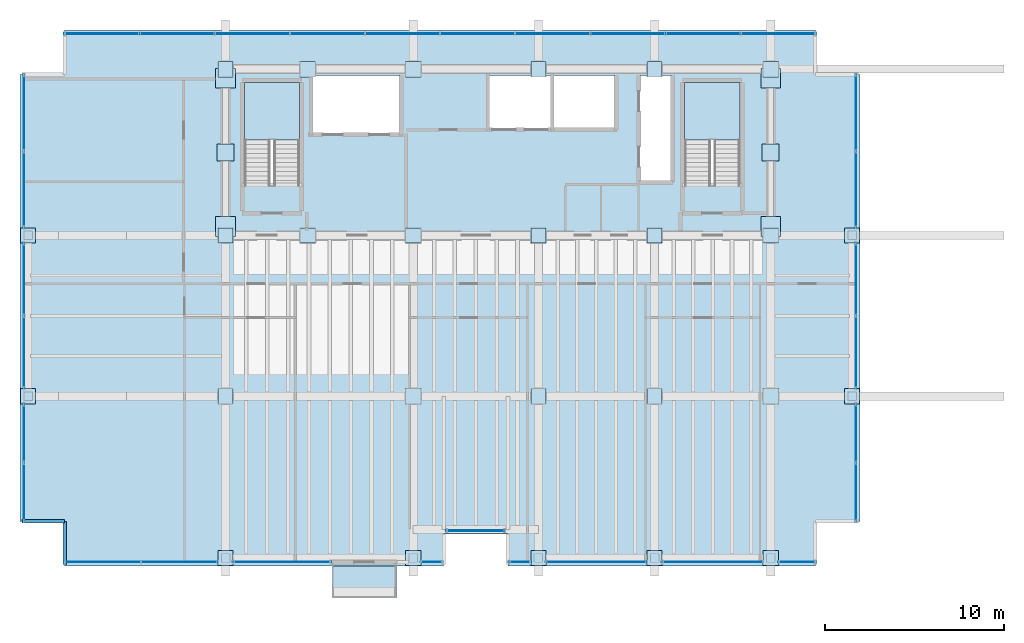
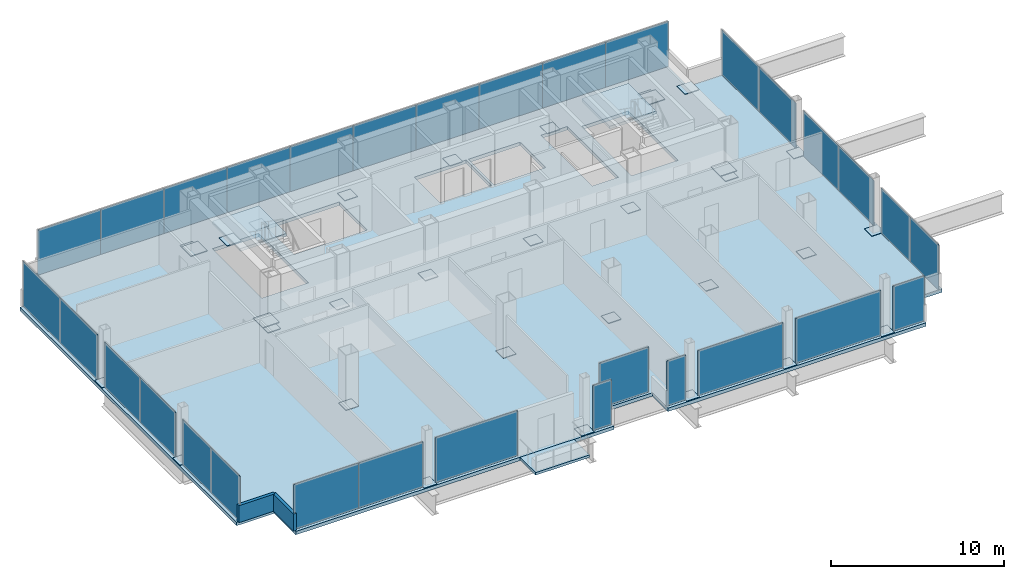
# One storey, part 21 of 24: 63 plates, 4 slabs, 2 walls, 6 openings, 17 elements without a shape of their own.
"""IFC4 building model written with IfcOpenShell, lengths in metres."""

from ifc_helpers import new_model, si_unit, direction, frame, frame_2d, origin, origin_2d, place, context, subcontext, project, spatial, polyline, rectangle, outline, extrude, material, layer, layer_set, type_object, element, aggregate, save


model = new_model("IFC4")

# Units and contexts
model_context = context("Model", 3, precision=1e-05, world=origin(), true_north=direction((0.0, 1.0)))
body_context = subcontext(model_context, "Body", "Model", "MODEL_VIEW")
ifc_project = project(units=[si_unit("LENGTHUNIT", "METRE"), si_unit("AREAUNIT", "SQUARE_METRE"), si_unit("VOLUMEUNIT", "CUBIC_METRE"), si_unit("PLANEANGLEUNIT", "RADIAN"), si_unit("MASSUNIT", "GRAM", prefix="KILO")], contexts=[model_context])

# Site, building, storey
site_placement = place(None, origin())
site = spatial("IfcSite", under=ifc_project, at=site_placement, CompositionType="ELEMENT")
building_placement = place(site_placement, origin())
building = spatial("IfcBuilding", under=site, at=building_placement, Name="Noeulbin Bourse Tower", CompositionType="ELEMENT")
storey_placement = place(building_placement, frame((0.0, 0.0, 114.89990234375)))
storey = spatial("IfcBuildingStorey", under=building, at=storey_placement, Name="L28", CompositionType="ELEMENT", Elevation=114.89990234375)

# Curtain wall, plate
ifc_material_1 = material(Name="Dark Tinted Triple Glazing", Category="glass")
curtain_wall_type = type_object("IfcCurtainWallType", Name="CW-SYS-3", PredefinedType="NOTDEFINED", material=ifc_material_1)
curtain_wall_1_placement = place(storey_placement, origin())
curtain_wall_1 = element("IfcCurtainWall", 1, at=curtain_wall_1_placement, inside=storey, type_object=curtain_wall_type, Name="Unitised Curtain Wall CW-L28-SREC", PredefinedType="NOTDEFINED")
ifc_layer_1 = layer(ifc_material_1, 0.035888671875)
ifc_layer_set_1 = layer_set([ifc_layer_1], Name="Dark Tinted Triple Glazing")
plate_type_1 = type_object("IfcPlateType", Name="CW-SYS-3-PNL", PredefinedType="CURTAIN_PANEL", material=ifc_layer_set_1)
plate_1_placement = place(storey_placement, frame((27.5, 12.47998046875, 0.0), z_axis=(0.0, 0.0, 1.0), x_axis=(1.0, 0.0, 0.0)))
plate_1 = element("IfcPlate", 2, at=plate_1_placement, type_object=plate_type_1, Name="Glazed Curtain Panel CW-L28-SREC-P00", PredefinedType="CURTAIN_PANEL", context=body_context, shape_type="SweptSolid", body=[
    extrude(rectangle(XDim=3.300048828125, YDim=0.035888671875, at=origin_2d()), origin(), (0.0, 0.0, 1.0), 3.179931640625),
])
aggregate(curtain_wall_1, [plate_1])

# Curtain wall, plates
curtain_wall_2_placement = place(storey_placement, origin())
curtain_wall_2 = element("IfcCurtainWall", 3, at=curtain_wall_2_placement, inside=storey, type_object=curtain_wall_type, Name="Unitised Curtain Wall CW-L28-S1-S1", PredefinedType="NOTDEFINED")
plate_2_placement = place(storey_placement, frame((6.632568359375, 10.719970703125, 0.0), z_axis=(0.0, 0.0, 1.0), x_axis=(1.0, 0.0, 0.0)))
plate_2 = element("IfcPlate", 4, at=plate_2_placement, type_object=plate_type_1, Name="Glazed Curtain Panel CW-L28-S1-S1-P00", PredefinedType="CURTAIN_PANEL", context=body_context, shape_type="SweptSolid", body=[
    extrude(rectangle(XDim=4.304931640625, YDim=0.035888671875, at=origin_2d()), origin(), (0.0, 0.0, 1.0), 3.179931640625),
])
plate_3_placement = place(storey_placement, frame((10.9375, 10.719970703125, 0.0), z_axis=(0.0, 0.0, 1.0), x_axis=(1.0, 0.0, 0.0)))
plate_3 = element("IfcPlate", 5, at=plate_3_placement, type_object=plate_type_1, Name="Glazed Curtain Panel CW-L28-S1-S1-P01", PredefinedType="CURTAIN_PANEL", context=body_context, shape_type="SweptSolid", body=[
    extrude(rectangle(XDim=4.304931640625, YDim=0.035888671875, at=origin_2d()), origin(), (0.0, 0.0, 1.0), 3.179931640625),
])
aggregate(curtain_wall_2, [plate_2, plate_3])

# Curtain wall, plate
curtain_wall_3_placement = place(storey_placement, origin())
curtain_wall_3 = element("IfcCurtainWall", 6, at=curtain_wall_3_placement, inside=storey, type_object=curtain_wall_type, Name="Unitised Curtain Wall CW-L28-S1-S2", PredefinedType="NOTDEFINED")
plate_4_placement = place(storey_placement, frame((16.655029296875, 10.719970703125, 0.0), z_axis=(0.0, 0.0, 1.0), x_axis=(1.0, 0.0, 0.0)))
plate_4 = element("IfcPlate", 7, at=plate_4_placement, type_object=plate_type_1, Name="Glazed Curtain Panel CW-L28-S1-S2-P00", PredefinedType="CURTAIN_PANEL", context=body_context, shape_type="SweptSolid", body=[
    extrude(rectangle(XDim=5.489990234375, YDim=0.035888671875, at=origin_2d()), origin(), (0.0, 0.0, 1.0), 3.179931640625),
])
aggregate(curtain_wall_3, [plate_4])

curtain_wall_4_placement = place(storey_placement, origin())
curtain_wall_4 = element("IfcCurtainWall", 8, at=curtain_wall_4_placement, inside=storey, type_object=curtain_wall_type, Name="Unitised Curtain Wall CW-L28-S2", PredefinedType="NOTDEFINED")
plate_5_placement = place(storey_placement, frame((25.030029296875, 10.719970703125, 0.0), z_axis=(0.0, 0.0, 1.0), x_axis=(1.0, 0.0, 0.0)))
plate_5 = element("IfcPlate", 9, at=plate_5_placement, type_object=plate_type_1, Name="Glazed Curtain Panel CW-L28-S2-P00", PredefinedType="CURTAIN_PANEL", context=body_context, shape_type="SweptSolid", body=[
    extrude(rectangle(XDim=1.239990234375, YDim=0.035888671875, at=origin_2d()), origin(), (0.0, 0.0, 1.0), 3.179931640625),
])
aggregate(curtain_wall_4, [plate_5])

curtain_wall_5_placement = place(storey_placement, origin())
curtain_wall_5 = element("IfcCurtainWall", 10, at=curtain_wall_5_placement, inside=storey, type_object=curtain_wall_type, Name="Unitised Curtain Wall CW-L28-S3-S1", PredefinedType="NOTDEFINED")
plate_6_placement = place(storey_placement, frame((29.969970703125, 10.719970703125, 0.0), z_axis=(0.0, 0.0, 1.0), x_axis=(1.0, 0.0, 0.0)))
plate_6 = element("IfcPlate", 11, at=plate_6_placement, type_object=plate_type_1, Name="Glazed Curtain Panel CW-L28-S3-S1-P00", PredefinedType="CURTAIN_PANEL", context=body_context, shape_type="SweptSolid", body=[
    extrude(rectangle(XDim=1.239990234375, YDim=0.035888671875, at=origin_2d()), origin(), (0.0, 0.0, 1.0), 3.179931640625),
])
aggregate(curtain_wall_5, [plate_6])

curtain_wall_6_placement = place(storey_placement, origin())
curtain_wall_6 = element("IfcCurtainWall", 12, at=curtain_wall_6_placement, inside=storey, type_object=curtain_wall_type, Name="Unitised Curtain Wall CW-L28-S3-S2", PredefinedType="NOTDEFINED")
plate_7_placement = place(storey_placement, frame((34.25, 10.719970703125, 0.0), z_axis=(0.0, 0.0, 1.0), x_axis=(1.0, 0.0, 0.0)))
plate_7 = element("IfcPlate", 13, at=plate_7_placement, type_object=plate_type_1, Name="Glazed Curtain Panel CW-L28-S3-S2-P00", PredefinedType="CURTAIN_PANEL", context=body_context, shape_type="SweptSolid", body=[
    extrude(rectangle(XDim=5.679931640625, YDim=0.035888671875, at=origin_2d()), origin(), (0.0, 0.0, 1.0), 3.179931640625),
])
aggregate(curtain_wall_6, [plate_7])

curtain_wall_7_placement = place(storey_placement, origin())
curtain_wall_7 = element("IfcCurtainWall", 14, at=curtain_wall_7_placement, inside=storey, type_object=curtain_wall_type, Name="Unitised Curtain Wall CW-L28-S3-S3", PredefinedType="NOTDEFINED")
plate_8_placement = place(storey_placement, frame((40.75, 10.719970703125, 0.0), z_axis=(0.0, 0.0, 1.0), x_axis=(1.0, 0.0, 0.0)))
plate_8 = element("IfcPlate", 15, at=plate_8_placement, type_object=plate_type_1, Name="Glazed Curtain Panel CW-L28-S3-S3-P00", PredefinedType="CURTAIN_PANEL", context=body_context, shape_type="SweptSolid", body=[
    extrude(rectangle(XDim=5.679931640625, YDim=0.035888671875, at=origin_2d()), origin(), (0.0, 0.0, 1.0), 3.179931640625),
])
aggregate(curtain_wall_7, [plate_8])

curtain_wall_8_placement = place(storey_placement, origin())
curtain_wall_8 = element("IfcCurtainWall", 16, at=curtain_wall_8_placement, inside=storey, type_object=curtain_wall_type, Name="Unitised Curtain Wall CW-L28-S3-S4", PredefinedType="NOTDEFINED")
plate_9_placement = place(storey_placement, frame((45.465087890625, 10.719970703125, 0.0), z_axis=(0.0, 0.0, 1.0), x_axis=(1.0, 0.0, 0.0)))
plate_9 = element("IfcPlate", 17, at=plate_9_placement, type_object=plate_type_1, Name="Glazed Curtain Panel CW-L28-S3-S4-P00", PredefinedType="CURTAIN_PANEL", context=body_context, shape_type="SweptSolid", body=[
    extrude(rectangle(XDim=2.110107421875, YDim=0.035888671875, at=origin_2d()), origin(), (0.0, 0.0, 1.0), 3.179931640625),
])
aggregate(curtain_wall_8, [plate_9])

# Curtain wall, plates
curtain_wall_9_placement = place(storey_placement, origin())
curtain_wall_9 = element("IfcCurtainWall", 18, at=curtain_wall_9_placement, inside=storey, type_object=curtain_wall_type, Name="Unitised Curtain Wall CW-L28-N", PredefinedType="NOTDEFINED")
plate_10_placement = place(storey_placement, frame((6.58203125, 40.280029296875, 0.0), z_axis=(0.0, 0.0, 1.0), x_axis=(1.0, 0.0, 0.0)))
plate_10 = element("IfcPlate", 19, at=plate_10_placement, type_object=plate_type_1, Name="Glazed Curtain Panel CW-L28-N-P00", PredefinedType="CURTAIN_PANEL", context=body_context, shape_type="SweptSolid", body=[
    extrude(rectangle(XDim=4.2041015625, YDim=0.035888671875, at=origin_2d()), origin(), (0.0, 0.0, 1.0), 3.179931640625),
])
plate_11_placement = place(storey_placement, frame((10.785888671875, 40.280029296875, 0.0), z_axis=(0.0, 0.0, 1.0), x_axis=(1.0, 0.0, 0.0)))
plate_11 = element("IfcPlate", 20, at=plate_11_placement, type_object=plate_type_1, Name="Glazed Curtain Panel CW-L28-N-P01", PredefinedType="CURTAIN_PANEL", context=body_context, shape_type="SweptSolid", body=[
    extrude(rectangle(XDim=4.2041015625, YDim=0.035888671875, at=origin_2d()), origin(), (0.0, 0.0, 1.0), 3.179931640625),
])
plate_12_placement = place(storey_placement, frame((14.989990234375, 40.280029296875, 0.0), z_axis=(0.0, 0.0, 1.0), x_axis=(1.0, 0.0, 0.0)))
plate_12 = element("IfcPlate", 21, at=plate_12_placement, type_object=plate_type_1, Name="Glazed Curtain Panel CW-L28-N-P02", PredefinedType="CURTAIN_PANEL", context=body_context, shape_type="SweptSolid", body=[
    extrude(rectangle(XDim=4.2041015625, YDim=0.035888671875, at=origin_2d()), origin(), (0.0, 0.0, 1.0), 3.179931640625),
])
plate_13_placement = place(storey_placement, frame((19.194091796875, 40.280029296875, 0.0), z_axis=(0.0, 0.0, 1.0), x_axis=(1.0, 0.0, 0.0)))
plate_13 = element("IfcPlate", 22, at=plate_13_placement, type_object=plate_type_1, Name="Glazed Curtain Panel CW-L28-N-P03", PredefinedType="CURTAIN_PANEL", context=body_context, shape_type="SweptSolid", body=[
    extrude(rectangle(XDim=4.2041015625, YDim=0.035888671875, at=origin_2d()), origin(), (0.0, 0.0, 1.0), 3.179931640625),
])
plate_14_placement = place(storey_placement, frame((23.39794921875, 40.280029296875, 0.0), z_axis=(0.0, 0.0, 1.0), x_axis=(1.0, 0.0, 0.0)))
plate_14 = element("IfcPlate", 23, at=plate_14_placement, type_object=plate_type_1, Name="Glazed Curtain Panel CW-L28-N-P04", PredefinedType="CURTAIN_PANEL", context=body_context, shape_type="SweptSolid", body=[
    extrude(rectangle(XDim=4.2041015625, YDim=0.035888671875, at=origin_2d()), origin(), (0.0, 0.0, 1.0), 3.179931640625),
])
plate_15_placement = place(storey_placement, frame((27.60205078125, 40.280029296875, 0.0), z_axis=(0.0, 0.0, 1.0), x_axis=(1.0, 0.0, 0.0)))
plate_15 = element("IfcPlate", 24, at=plate_15_placement, type_object=plate_type_1, Name="Glazed Curtain Panel CW-L28-N-P05", PredefinedType="CURTAIN_PANEL", context=body_context, shape_type="SweptSolid", body=[
    extrude(rectangle(XDim=4.2041015625, YDim=0.035888671875, at=origin_2d()), origin(), (0.0, 0.0, 1.0), 3.179931640625),
])
plate_16_placement = place(storey_placement, frame((31.805908203125, 40.280029296875, 0.0), z_axis=(0.0, 0.0, 1.0), x_axis=(1.0, 0.0, 0.0)))
plate_16 = element("IfcPlate", 25, at=plate_16_placement, type_object=plate_type_1, Name="Glazed Curtain Panel CW-L28-N-P06", PredefinedType="CURTAIN_PANEL", context=body_context, shape_type="SweptSolid", body=[
    extrude(rectangle(XDim=4.2041015625, YDim=0.035888671875, at=origin_2d()), origin(), (0.0, 0.0, 1.0), 3.179931640625),
])
plate_17_placement = place(storey_placement, frame((36.010009765625, 40.280029296875, 0.0), z_axis=(0.0, 0.0, 1.0), x_axis=(1.0, 0.0, 0.0)))
plate_17 = element("IfcPlate", 26, at=plate_17_placement, type_object=plate_type_1, Name="Glazed Curtain Panel CW-L28-N-P07", PredefinedType="CURTAIN_PANEL", context=body_context, shape_type="SweptSolid", body=[
    extrude(rectangle(XDim=4.2041015625, YDim=0.035888671875, at=origin_2d()), origin(), (0.0, 0.0, 1.0), 3.179931640625),
])
plate_18_placement = place(storey_placement, frame((40.214111328125, 40.280029296875, 0.0), z_axis=(0.0, 0.0, 1.0), x_axis=(1.0, 0.0, 0.0)))
plate_18 = element("IfcPlate", 27, at=plate_18_placement, type_object=plate_type_1, Name="Glazed Curtain Panel CW-L28-N-P08", PredefinedType="CURTAIN_PANEL", context=body_context, shape_type="SweptSolid", body=[
    extrude(rectangle(XDim=4.2041015625, YDim=0.035888671875, at=origin_2d()), origin(), (0.0, 0.0, 1.0), 3.179931640625),
])
plate_19_placement = place(storey_placement, frame((44.41796875, 40.280029296875, 0.0), z_axis=(0.0, 0.0, 1.0), x_axis=(1.0, 0.0, 0.0)))
plate_19 = element("IfcPlate", 28, at=plate_19_placement, type_object=plate_type_1, Name="Glazed Curtain Panel CW-L28-N-P09", PredefinedType="CURTAIN_PANEL", context=body_context, shape_type="SweptSolid", body=[
    extrude(rectangle(XDim=4.2041015625, YDim=0.035888671875, at=origin_2d()), origin(), (0.0, 0.0, 1.0), 3.179931640625),
])
aggregate(curtain_wall_9, [plate_10, plate_11, plate_12, plate_13, plate_14, plate_15, plate_16, plate_17, plate_18, plate_19])

curtain_wall_10_placement = place(storey_placement, origin())
curtain_wall_10 = element("IfcCurtainWall", 29, at=curtain_wall_10_placement, inside=storey, type_object=curtain_wall_type, Name="Unitised Curtain Wall CW-L28-W-S1", PredefinedType="NOTDEFINED")
plate_20_placement = place(storey_placement, frame((2.219970703125, 14.632568359375, 0.0), z_axis=(0.0, 0.0, 1.0), x_axis=(0.0, 1.0, 0.0)))
plate_20 = element("IfcPlate", 30, at=plate_20_placement, type_object=plate_type_1, Name="Glazed Curtain Panel CW-L28-W-S1-P00", PredefinedType="CURTAIN_PANEL", context=body_context, shape_type="SweptSolid", body=[
    extrude(rectangle(XDim=3.304931640625, YDim=0.035888671875, at=origin_2d()), origin(), (0.0, 0.0, 1.0), 3.179931640625),
])
plate_21_placement = place(storey_placement, frame((2.219970703125, 17.9375, 0.0), z_axis=(0.0, 0.0, 1.0), x_axis=(0.0, 1.0, 0.0)))
plate_21 = element("IfcPlate", 31, at=plate_21_placement, type_object=plate_type_1, Name="Glazed Curtain Panel CW-L28-W-S1-P01", PredefinedType="CURTAIN_PANEL", context=body_context, shape_type="SweptSolid", body=[
    extrude(rectangle(XDim=3.304931640625, YDim=0.035888671875, at=origin_2d()), origin(), (0.0, 0.0, 1.0), 3.179931640625),
])
aggregate(curtain_wall_10, [plate_20, plate_21])

curtain_wall_11_placement = place(storey_placement, origin())
curtain_wall_11 = element("IfcCurtainWall", 32, at=curtain_wall_11_placement, inside=storey, type_object=curtain_wall_type, Name="Unitised Curtain Wall CW-L28-W-S2", PredefinedType="NOTDEFINED")
plate_22_placement = place(storey_placement, frame((2.219970703125, 22.455078125, 0.0), z_axis=(0.0, 0.0, 1.0), x_axis=(0.0, 1.0, 0.0)))
plate_22 = element("IfcPlate", 33, at=plate_22_placement, type_object=plate_type_1, Name="Glazed Curtain Panel CW-L28-W-S2-P00", PredefinedType="CURTAIN_PANEL", context=body_context, shape_type="SweptSolid", body=[
    extrude(rectangle(XDim=4.090087890625, YDim=0.035888671875, at=origin_2d()), origin(), (0.0, 0.0, 1.0), 3.179931640625),
])
plate_23_placement = place(storey_placement, frame((2.219970703125, 26.544921875, 0.0), z_axis=(0.0, 0.0, 1.0), x_axis=(0.0, 1.0, 0.0)))
plate_23 = element("IfcPlate", 34, at=plate_23_placement, type_object=plate_type_1, Name="Glazed Curtain Panel CW-L28-W-S2-P01", PredefinedType="CURTAIN_PANEL", context=body_context, shape_type="SweptSolid", body=[
    extrude(rectangle(XDim=4.090087890625, YDim=0.035888671875, at=origin_2d()), origin(), (0.0, 0.0, 1.0), 3.179931640625),
])
aggregate(curtain_wall_11, [plate_22, plate_23])

curtain_wall_12_placement = place(storey_placement, origin())
curtain_wall_12 = element("IfcCurtainWall", 35, at=curtain_wall_12_placement, inside=storey, type_object=curtain_wall_type, Name="Unitised Curtain Wall CW-L28-W-S3", PredefinedType="NOTDEFINED")
plate_24_placement = place(storey_placement, frame((2.219970703125, 31.5625, 0.0), z_axis=(0.0, 0.0, 1.0), x_axis=(0.0, 1.0, 0.0)))
plate_24 = element("IfcPlate", 36, at=plate_24_placement, type_object=plate_type_1, Name="Glazed Curtain Panel CW-L28-W-S3-P00", PredefinedType="CURTAIN_PANEL", context=body_context, shape_type="SweptSolid", body=[
    extrude(rectangle(XDim=4.304931640625, YDim=0.035888671875, at=origin_2d()), origin(), (0.0, 0.0, 1.0), 3.179931640625),
])
plate_25_placement = place(storey_placement, frame((2.219970703125, 35.867431640625, 0.0), z_axis=(0.0, 0.0, 1.0), x_axis=(0.0, 1.0, 0.0)))
plate_25 = element("IfcPlate", 37, at=plate_25_placement, type_object=plate_type_1, Name="Glazed Curtain Panel CW-L28-W-S3-P01", PredefinedType="CURTAIN_PANEL", context=body_context, shape_type="SweptSolid", body=[
    extrude(rectangle(XDim=4.304931640625, YDim=0.035888671875, at=origin_2d()), origin(), (0.0, 0.0, 1.0), 3.179931640625),
])
aggregate(curtain_wall_12, [plate_24, plate_25])

curtain_wall_13_placement = place(storey_placement, origin())
curtain_wall_13 = element("IfcCurtainWall", 38, at=curtain_wall_13_placement, inside=storey, type_object=curtain_wall_type, Name="Unitised Curtain Wall CW-L28-E-S1", PredefinedType="NOTDEFINED")
plate_26_placement = place(storey_placement, frame((48.780029296875, 14.632568359375, 0.0), z_axis=(0.0, 0.0, 1.0), x_axis=(0.0, 1.0, 0.0)))
plate_26 = element("IfcPlate", 39, at=plate_26_placement, type_object=plate_type_1, Name="Glazed Curtain Panel CW-L28-E-S1-P00", PredefinedType="CURTAIN_PANEL", context=body_context, shape_type="SweptSolid", body=[
    extrude(rectangle(XDim=3.304931640625, YDim=0.035888671875, at=origin_2d()), origin(), (0.0, 0.0, 1.0), 3.179931640625),
])
plate_27_placement = place(storey_placement, frame((48.780029296875, 17.9375, 0.0), z_axis=(0.0, 0.0, 1.0), x_axis=(0.0, 1.0, 0.0)))
plate_27 = element("IfcPlate", 40, at=plate_27_placement, type_object=plate_type_1, Name="Glazed Curtain Panel CW-L28-E-S1-P01", PredefinedType="CURTAIN_PANEL", context=body_context, shape_type="SweptSolid", body=[
    extrude(rectangle(XDim=3.304931640625, YDim=0.035888671875, at=origin_2d()), origin(), (0.0, 0.0, 1.0), 3.179931640625),
])
aggregate(curtain_wall_13, [plate_26, plate_27])

curtain_wall_14_placement = place(storey_placement, origin())
curtain_wall_14 = element("IfcCurtainWall", 41, at=curtain_wall_14_placement, inside=storey, type_object=curtain_wall_type, Name="Unitised Curtain Wall CW-L28-E-S2", PredefinedType="NOTDEFINED")
plate_28_placement = place(storey_placement, frame((48.780029296875, 22.455078125, 0.0), z_axis=(0.0, 0.0, 1.0), x_axis=(0.0, 1.0, 0.0)))
plate_28 = element("IfcPlate", 42, at=plate_28_placement, type_object=plate_type_1, Name="Glazed Curtain Panel CW-L28-E-S2-P00", PredefinedType="CURTAIN_PANEL", context=body_context, shape_type="SweptSolid", body=[
    extrude(rectangle(XDim=4.090087890625, YDim=0.035888671875, at=origin_2d()), origin(), (0.0, 0.0, 1.0), 3.179931640625),
])
plate_29_placement = place(storey_placement, frame((48.780029296875, 26.544921875, 0.0), z_axis=(0.0, 0.0, 1.0), x_axis=(0.0, 1.0, 0.0)))
plate_29 = element("IfcPlate", 43, at=plate_29_placement, type_object=plate_type_1, Name="Glazed Curtain Panel CW-L28-E-S2-P01", PredefinedType="CURTAIN_PANEL", context=body_context, shape_type="SweptSolid", body=[
    extrude(rectangle(XDim=4.090087890625, YDim=0.035888671875, at=origin_2d()), origin(), (0.0, 0.0, 1.0), 3.179931640625),
])
aggregate(curtain_wall_14, [plate_28, plate_29])

curtain_wall_15_placement = place(storey_placement, origin())
curtain_wall_15 = element("IfcCurtainWall", 44, at=curtain_wall_15_placement, inside=storey, type_object=curtain_wall_type, Name="Unitised Curtain Wall CW-L28-E-S3", PredefinedType="NOTDEFINED")
plate_30_placement = place(storey_placement, frame((48.780029296875, 31.5625, 0.0), z_axis=(0.0, 0.0, 1.0), x_axis=(0.0, 1.0, 0.0)))
plate_30 = element("IfcPlate", 45, at=plate_30_placement, type_object=plate_type_1, Name="Glazed Curtain Panel CW-L28-E-S3-P00", PredefinedType="CURTAIN_PANEL", context=body_context, shape_type="SweptSolid", body=[
    extrude(rectangle(XDim=4.304931640625, YDim=0.035888671875, at=origin_2d()), origin(), (0.0, 0.0, 1.0), 3.179931640625),
])
plate_31_placement = place(storey_placement, frame((48.780029296875, 35.867431640625, 0.0), z_axis=(0.0, 0.0, 1.0), x_axis=(0.0, 1.0, 0.0)))
plate_31 = element("IfcPlate", 46, at=plate_31_placement, type_object=plate_type_1, Name="Glazed Curtain Panel CW-L28-E-S3-P01", PredefinedType="CURTAIN_PANEL", context=body_context, shape_type="SweptSolid", body=[
    extrude(rectangle(XDim=4.304931640625, YDim=0.035888671875, at=origin_2d()), origin(), (0.0, 0.0, 1.0), 3.179931640625),
])
aggregate(curtain_wall_15, [plate_30, plate_31])

# Plates
ifc_material_2 = material(Name="Steel S355", Category="steel")
ifc_layer_2 = layer(ifc_material_2, 0.030029296875)
ifc_layer_set_2 = layer_set([ifc_layer_2], Name="Steel S355")
plate_type_2 = type_object("IfcPlateType", Name="PLT-BN1", PredefinedType="USERDEFINED", material=ifc_layer_set_2)
for number, where, z_axis, x_axis, name in (
    (47, (13.5, 29.0, 0.0048828125), (0.0, 0.0, 1.0), (1.0, 0.0, 0.0), "Mega-Column Splice Plate BN1-L28-01"),
    (48, (13.5, 38.300048828125, 0.0048828125), (0.0, 0.0, 1.0), (1.0, 0.0, 0.0), "Mega-Column Splice Plate BN1-L28-02"),
    (49, (18.10009765625, 29.0, 0.0048828125), (0.0, 0.0, 1.0), (1.0, 0.0, 0.0), "Mega-Column Splice Plate BN1-L28-03"),
    (50, (18.10009765625, 38.300048828125, 0.0048828125), (0.0, 0.0, 1.0), (1.0, 0.0, 0.0), "Mega-Column Splice Plate BN1-L28-04"),
    (51, (24.0, 29.0, 0.0048828125), (0.0, 0.0, 1.0), (1.0, 0.0, 0.0), "Mega-Column Splice Plate BN1-L28-05"),
    (52, (24.0, 38.300048828125, 0.0048828125), (0.0, 0.0, 1.0), (1.0, 0.0, 0.0), "Mega-Column Splice Plate BN1-L28-06"),
    (53, (31.0, 29.0, 0.0048828125), (0.0, 0.0, 1.0), (1.0, 0.0, 0.0), "Mega-Column Splice Plate BN1-L28-07"),
    (54, (31.0, 38.300048828125, 0.0048828125), (0.0, 0.0, 1.0), (1.0, 0.0, 0.0), "Mega-Column Splice Plate BN1-L28-08"),
    (55, (37.5, 29.0, 0.0048828125), (0.0, 0.0, 1.0), (1.0, 0.0, 0.0), "Mega-Column Splice Plate BN1-L28-09"),
    (56, (37.5, 38.300048828125, 0.0048828125), (0.0, 0.0, 1.0), (1.0, 0.0, 0.0), "Mega-Column Splice Plate BN1-L28-10"),
    (57, (44.0, 29.0, 0.0048828125), (0.0, 0.0, 1.0), (1.0, 0.0, 0.0), "Mega-Column Splice Plate BN1-L28-11"),
    (58, (44.0, 38.300048828125, 0.0048828125), (0.0, 0.0, 1.0), (1.0, 0.0, 0.0), "Mega-Column Splice Plate BN1-L28-12"),
    (59, (13.5, 20.0, 0.0048828125), (0.0, 0.0, 1.0), (1.0, 0.0, 0.0), "Mega-Column Splice Plate BN1-L28-13"),
    (60, (24.0, 20.0, 0.0048828125), (0.0, 0.0, 1.0), (1.0, 0.0, 0.0), "Mega-Column Splice Plate BN1-L28-14"),
    (61, (31.0, 20.0, 0.0048828125), (0.0, 0.0, 1.0), (1.0, 0.0, 0.0), "Mega-Column Splice Plate BN1-L28-15"),
    (62, (37.5, 20.0, 0.0048828125), (0.0, 0.0, 1.0), (1.0, 0.0, 0.0), "Mega-Column Splice Plate BN1-L28-16"),
    (63, (44.0, 20.0, 0.0048828125), (0.0, 0.0, 1.0), (1.0, 0.0, 0.0), "Mega-Column Splice Plate BN1-L28-17"),
    (64, (2.449951171875, 20.0, 0.0048828125), (0.0, 0.0, 1.0), (1.0, 0.0, 0.0), "Perimeter Column Splice Plate BN1-L28-01"),
    (65, (2.449951171875, 29.0, 0.0048828125), (0.0, 0.0, 1.0), (1.0, 0.0, 0.0), "Perimeter Column Splice Plate BN1-L28-02"),
    (66, (13.5, 10.949951171875, 0.0048828125), (0.0, 0.0, 1.0), (1.0, 0.0, 0.0), "Perimeter Column Splice Plate BN1-L28-03"),
    (67, (24.0, 10.949951171875, 0.0048828125), (0.0, 0.0, 1.0), (1.0, 0.0, 0.0), "Perimeter Column Splice Plate BN1-L28-04"),
    (68, (31.0, 10.949951171875, 0.0048828125), (0.0, 0.0, 1.0), (1.0, 0.0, 0.0), "Perimeter Column Splice Plate BN1-L28-05"),
    (69, (37.5, 10.949951171875, 0.0048828125), (0.0, 0.0, 1.0), (1.0, 0.0, 0.0), "Perimeter Column Splice Plate BN1-L28-06"),
    (70, (44.0, 10.949951171875, 0.0048828125), (0.0, 0.0, 1.0), (1.0, 0.0, 0.0), "Perimeter Column Splice Plate BN1-L28-07"),
    (71, (48.550048828125, 20.0, 0.0048828125), (0.0, 0.0, 1.0), (1.0, 0.0, 0.0), "Perimeter Column Splice Plate BN1-L28-08"),
    (72, (48.550048828125, 29.0, 0.0048828125), (0.0, 0.0, 1.0), (1.0, 0.0, 0.0), "Perimeter Column Splice Plate BN1-L28-09"),
):
    element("IfcPlate", number, at=place(storey_placement, frame(where, z_axis=z_axis, x_axis=x_axis)), inside=storey, type_object=plate_type_2, Name=name, ObjectType="SPLICE PLATE", PredefinedType="USERDEFINED", context=body_context, shape_type="SweptSolid", body=[
        extrude(rectangle(XDim=0.85009765625, YDim=0.85009765625, at=origin_2d()), origin(), (0.0, 0.0, 1.0), 0.030029296875),
    ])
ifc_material_3 = material(Name="Steel S460", Category="steel")
ifc_layer_3 = layer(ifc_material_3, 0.035888671875)
ifc_layer_set_3 = layer_set([ifc_layer_3], Name="Steel S460")
plate_type_3 = type_object("IfcPlateType", Name="PLT-KN2", PredefinedType="USERDEFINED", material=ifc_layer_set_3)
for number, where, z_axis, x_axis, name in (
    (73, (13.5, 29.5, 0.18212890625), (0.0, 0.0, 1.0), (1.0, 0.0, 0.0), "Core Flank Brace South Gusset Plate KN2-L28-WA"),
    (74, (13.5, 37.800048828125, 0.18212890625), (0.0, 0.0, 1.0), (1.0, 0.0, 0.0), "Core Flank Brace North Gusset Plate KN2-L28-WB"),
    (75, (44.0, 29.5, 0.18212890625), (0.0, 0.0, 1.0), (1.0, 0.0, 0.0), "Core Flank Brace South Gusset Plate KN2-L28-EA"),
    (76, (44.0, 37.800048828125, 0.18212890625), (0.0, 0.0, 1.0), (1.0, 0.0, 0.0), "Core Flank Brace North Gusset Plate KN2-L28-EB"),
):
    element("IfcPlate", number, at=place(storey_placement, frame(where, z_axis=z_axis, x_axis=x_axis)), inside=storey, type_object=plate_type_3, Name=name, ObjectType="GUSSET PLATE", PredefinedType="USERDEFINED", context=body_context, shape_type="SweptSolid", body=[
        extrude(rectangle(XDim=1.10009765625, YDim=1.10009765625, at=origin_2d()), origin(), (0.0, 0.0, 1.0), 0.035888671875),
    ])
ifc_layer_4 = layer(ifc_material_2, 0.031982421875)
ifc_layer_set_4 = layer_set([ifc_layer_4], Name="Steel S355")
plate_type_4 = type_object("IfcPlateType", Name="PLT-KN3", PredefinedType="USERDEFINED", material=ifc_layer_set_4)
for number, where, z_axis, x_axis, name in (
    (77, (13.5, 33.64990234375, 3.35400390625), (0.0, 0.0, 1.0), (1.0, 0.0, 0.0), "Core Flank Brace Apex End Plate KN3-L28-W"),
    (78, (44.0, 33.64990234375, 3.35400390625), (0.0, 0.0, 1.0), (1.0, 0.0, 0.0), "Core Flank Brace Apex End Plate KN3-L28-E"),
):
    element("IfcPlate", number, at=place(storey_placement, frame(where, z_axis=z_axis, x_axis=x_axis)), inside=storey, type_object=plate_type_4, Name=name, ObjectType="END PLATE", PredefinedType="USERDEFINED", context=body_context, shape_type="SweptSolid", body=[
        extrude(rectangle(XDim=0.949951171875, YDim=0.949951171875, at=origin_2d()), origin(), (0.0, 0.0, 1.0), 0.031982421875),
    ])

# Stair, slab
ifc_material_4 = material(Name="Concrete C40/50", Category="concrete")
stair_type = type_object("IfcStairType", Name="STR-CORE-1560", PredefinedType="HALF_TURN_STAIR", material=ifc_material_4)
stair_1_placement = place(storey_placement, origin())
stair_1 = element("IfcStair", 79, at=stair_1_placement, inside=storey, type_object=stair_type, Name="L28 ST-1", PredefinedType="HALF_TURN_STAIR")
ifc_layer_5 = layer(ifc_material_4, 0.199951171875)
ifc_layer_set_5 = layer_set([ifc_layer_5], Name="Concrete C40/50")
slab_type_1 = type_object("IfcSlabType", Name="SLB-LND-200", PredefinedType="LANDING", material=ifc_layer_set_5)
slab_1_placement = place(storey_placement, frame((0.0, 0.0, 1.75)))
slab_1 = element("IfcSlab", 80, at=slab_1_placement, type_object=slab_type_1, Name="ST-1 landing 1", PredefinedType="LANDING", context=body_context, shape_type="SweptSolid", body=[
    extrude(outline(polyline([(17.64990234375, 34.330078125), (17.64990234375, 37.5439453125), (14.550048828125, 37.5439453125), (14.550048828125, 34.330078125), (17.64990234375, 34.330078125)])), origin(), (0.0, 0.0, 1.0), 0.2001953125),
])
aggregate(stair_1, [slab_1])

stair_2_placement = place(storey_placement, origin())
stair_2 = element("IfcStair", 81, at=stair_2_placement, inside=storey, type_object=stair_type, Name="L28 ST-2", PredefinedType="HALF_TURN_STAIR")
slab_2_placement = place(storey_placement, frame((0.0, 0.0, 1.75)))
slab_2 = element("IfcSlab", 82, at=slab_2_placement, type_object=slab_type_1, Name="ST-2 landing 1", PredefinedType="LANDING", context=body_context, shape_type="SweptSolid", body=[
    extrude(outline(polyline([(42.280029296875, 34.330078125), (42.280029296875, 37.5439453125), (39.179931640625, 37.5439453125), (39.179931640625, 34.330078125), (42.280029296875, 34.330078125)])), origin(), (0.0, 0.0, 1.0), 0.2001953125),
])
aggregate(stair_2, [slab_2])

# Slab, openings
ifc_layer_6 = layer(ifc_material_4, 0.239990234375)
ifc_layer_set_6 = layer_set([ifc_layer_6], Name="Concrete C40/50")
slab_type_2 = type_object("IfcSlabType", Name="SLB-TRF-240", PredefinedType="FLOOR", material=ifc_layer_set_6)
slab_3_placement = place(storey_placement, frame((0.0, 0.0, -0.239990234375)))
slab_3 = element("IfcSlab", 83, at=slab_3_placement, inside=storey, type_object=slab_type_2, Name="Tower Structural Floor Slab L28", PredefinedType="FLOOR", context=body_context, shape_type="SweptSolid", body=[
    extrude(outline(polyline([(4.5, 10.5), (25.699951171875, 10.5), (25.699951171875, 12.300048828125), (29.300048828125, 12.300048828125), (29.300048828125, 10.5), (46.5, 10.5), (46.5, 13.0), (49.0, 13.0), (49.0, 38.0), (46.5, 38.0), (46.5, 40.5), (4.5, 40.5), (4.5, 38.0), (2.0, 38.0), (2.0, 13.0), (4.5, 13.0), (4.5, 10.5)]), holes=[polyline([(17.64990234375, 31.81005859375), (17.64990234375, 37.5439453125), (14.550048828125, 37.5439453125), (14.550048828125, 31.81005859375), (17.64990234375, 31.81005859375)]), polyline([(42.280029296875, 31.81005859375), (42.280029296875, 37.5439453125), (39.179931640625, 37.5439453125), (39.179931640625, 31.81005859375), (42.280029296875, 31.81005859375)]), polyline([(18.35009765625, 34.699951171875), (23.25, 34.699951171875), (23.25, 37.949951171875), (18.35009765625, 37.949951171875), (18.35009765625, 34.699951171875)]), polyline([(36.699951171875, 32.050048828125), (38.449951171875, 32.050048828125), (38.449951171875, 37.949951171875), (36.699951171875, 37.949951171875), (36.699951171875, 32.050048828125)]), polyline([(28.25, 35.0), (31.699951171875, 35.0), (31.699951171875, 37.949951171875), (28.25, 37.949951171875), (28.25, 35.0)]), polyline([(31.85009765625, 35.0), (35.300048828125, 35.0), (35.300048828125, 37.949951171875), (31.85009765625, 37.949951171875), (31.85009765625, 35.0)])]), origin(), (0.0, 0.0, 1.0), 0.239990234375),
])
opening_1_placement = place(slab_3_placement, frame((0.0, 0.0, -0.010009765625)))
element("IfcOpeningElement", 84, at=opening_1_placement, cuts=slab_3, Name="Slab Shaft Opening SLB-L28-TWR-1", PredefinedType="OPENING", context=body_context, shape_type="SweptSolid", body=[
    extrude(outline(polyline([(17.64990234375, 31.81005859375), (17.64990234375, 37.5439453125), (14.550048828125, 37.5439453125), (14.550048828125, 31.81005859375), (17.64990234375, 31.81005859375)])), origin(), (0.0, 0.0, 1.0), 0.260009765625),
])
opening_2_placement = place(slab_3_placement, frame((0.0, 0.0, -0.010009765625)))
element("IfcOpeningElement", 85, at=opening_2_placement, cuts=slab_3, Name="Slab Shaft Opening SLB-L28-TWR-2", PredefinedType="OPENING", context=body_context, shape_type="SweptSolid", body=[
    extrude(outline(polyline([(42.280029296875, 31.81005859375), (42.280029296875, 37.5439453125), (39.179931640625, 37.5439453125), (39.179931640625, 31.81005859375), (42.280029296875, 31.81005859375)])), origin(), (0.0, 0.0, 1.0), 0.260009765625),
])
opening_3_placement = place(slab_3_placement, frame((0.0, 0.0, -0.010009765625)))
element("IfcOpeningElement", 86, at=opening_3_placement, cuts=slab_3, Name="Slab Shaft Opening SLB-L28-TWR-3", PredefinedType="OPENING", context=body_context, shape_type="SweptSolid", body=[
    extrude(outline(polyline([(18.35009765625, 34.699951171875), (23.25, 34.699951171875), (23.25, 37.949951171875), (18.35009765625, 37.949951171875), (18.35009765625, 34.699951171875)])), origin(), (0.0, 0.0, 1.0), 0.260009765625),
])
opening_4_placement = place(slab_3_placement, frame((0.0, 0.0, -0.010009765625)))
element("IfcOpeningElement", 87, at=opening_4_placement, cuts=slab_3, Name="Slab Shaft Opening SLB-L28-TWR-4", PredefinedType="OPENING", context=body_context, shape_type="SweptSolid", body=[
    extrude(outline(polyline([(36.699951171875, 32.050048828125), (38.449951171875, 32.050048828125), (38.449951171875, 37.949951171875), (36.699951171875, 37.949951171875), (36.699951171875, 32.050048828125)])), origin(), (0.0, 0.0, 1.0), 0.260009765625),
])
opening_5_placement = place(slab_3_placement, frame((0.0, 0.0, -0.010009765625)))
element("IfcOpeningElement", 88, at=opening_5_placement, cuts=slab_3, Name="Slab Shaft Opening SLB-L28-TWR-5", PredefinedType="OPENING", context=body_context, shape_type="SweptSolid", body=[
    extrude(outline(polyline([(28.25, 35.0), (31.699951171875, 35.0), (31.699951171875, 37.949951171875), (28.25, 37.949951171875), (28.25, 35.0)])), origin(), (0.0, 0.0, 1.0), 0.260009765625),
])
opening_6_placement = place(slab_3_placement, frame((0.0, 0.0, -0.010009765625)))
element("IfcOpeningElement", 89, at=opening_6_placement, cuts=slab_3, Name="Slab Shaft Opening SLB-L28-TWR-6", PredefinedType="OPENING", context=body_context, shape_type="SweptSolid", body=[
    extrude(outline(polyline([(31.85009765625, 35.0), (35.300048828125, 35.0), (35.300048828125, 37.949951171875), (31.85009765625, 37.949951171875), (31.85009765625, 35.0)])), origin(), (0.0, 0.0, 1.0), 0.260009765625),
])

# Slab
ifc_layer_7 = layer(ifc_material_4, 0.179931640625)
ifc_layer_set_7 = layer_set([ifc_layer_7], Name="Concrete C40/50")
slab_type_3 = type_object("IfcSlabType", Name="SLB-TYP-180", PredefinedType="FLOOR", material=ifc_layer_set_7)
slab_4_placement = place(storey_placement, frame((0.0, 0.0, -0.179931640625)))
element("IfcSlab", 90, at=slab_4_placement, inside=storey, type_object=slab_type_3, Name="Cantilevered Tree-Balcony Slab L28", PredefinedType="FLOOR", context=body_context, shape_type="SweptSolid", body=[
    extrude(outline(polyline([(19.449951171875, 8.699951171875), (23.050048828125, 8.699951171875), (23.050048828125, 10.5), (19.449951171875, 10.5), (19.449951171875, 8.699951171875)])), origin(), (0.0, 0.0, 1.0), 0.179931640625),
])

# Walls
ifc_layer_8 = layer(ifc_material_4, 0.199951171875)
ifc_layer_set_8 = layer_set([ifc_layer_8], Name="Concrete C40/50")
wall_type = type_object("IfcWallType", Name="WAL-PAR-200", PredefinedType="PARAPET", material=ifc_layer_set_8)
for number, where, z_axis, x_axis, name in (
    (91, (2.10009765625, 13.0, 0.0), (0.0, 0.0, 1.0), (1.0, 0.0, 0.0), "Corner Notch Parapet L28-SW1"),
    (92, (4.5, 13.0, 0.0), (0.0, 0.0, 1.0), (0.0, -1.0, 0.0), "Corner Notch Parapet L28-SW2"),
):
    element("IfcWall", number, at=place(storey_placement, frame(where, z_axis=z_axis, x_axis=x_axis)), inside=storey, type_object=wall_type, Name=name, PredefinedType="PARAPET", context=body_context, shape_type="SweptSolid", body=[
        extrude(rectangle(XDim=2.39990234375, YDim=0.199951171875, at=frame_2d((1.199951171875, 0.0))), origin(), (0.0, 0.0, 1.0), 1.2001953125),
    ])

save(model, "model.ifc")
